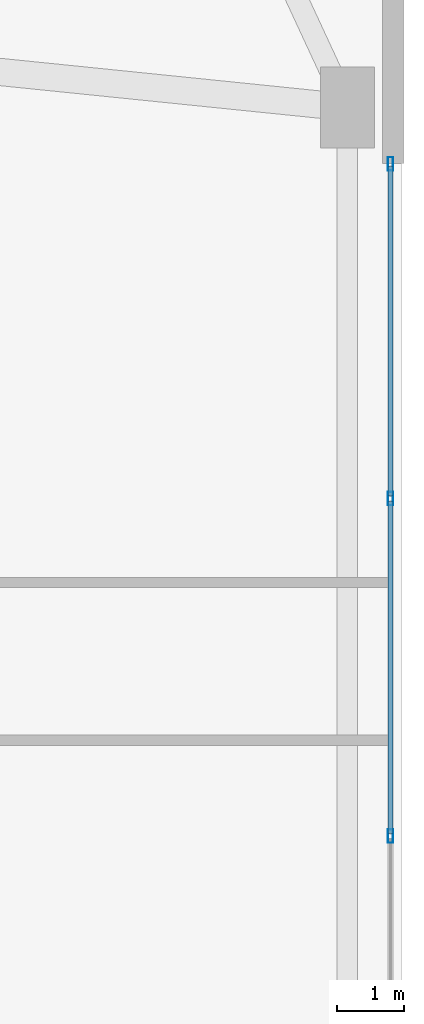
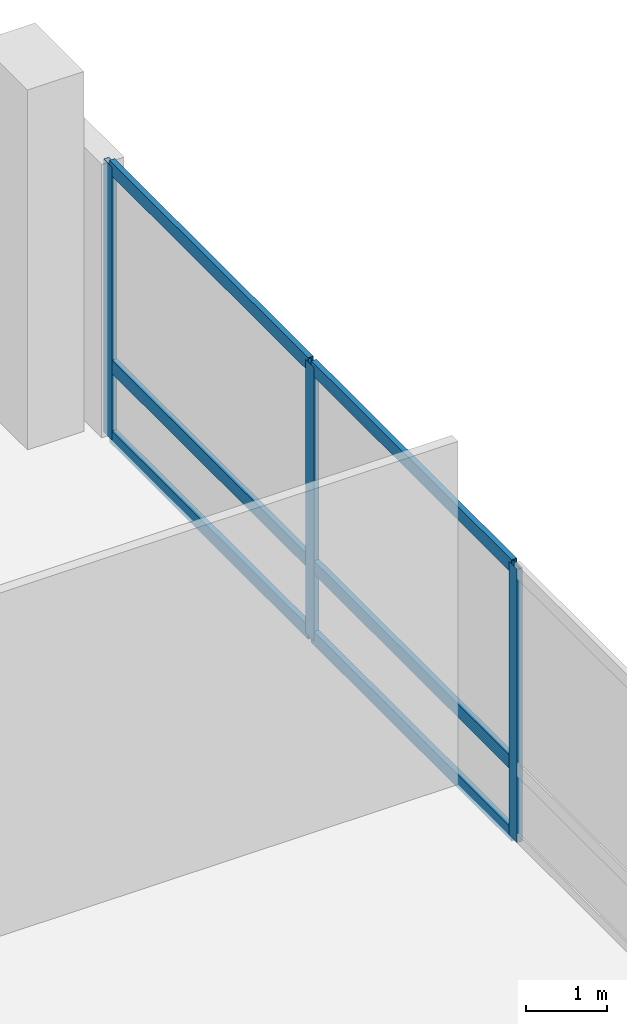
# One storey, part 20 of 31: 9 members, 1 element without a shape of its own.
"""IFC4 building model written with IfcOpenShell, lengths in metres."""

from ifc_helpers import new_model, si_unit, direction, frame, origin, origin_2d, place, context, subcontext, project, spatial, hollow_rectangle, extrude, material, layer, layer_set, material_profile, profile_set, type_object, element, aggregate, save


model = new_model("IFC4")

# Units and contexts
model_context = context("Model", 3, precision=1e-05, world=origin(), true_north=direction((0.0, 1.0)))
body_context = subcontext(model_context, "Body", "Model", "MODEL_VIEW")
ifc_project = project(units=[si_unit("LENGTHUNIT", "METRE"), si_unit("AREAUNIT", "SQUARE_METRE"), si_unit("VOLUMEUNIT", "CUBIC_METRE"), si_unit("PLANEANGLEUNIT", "RADIAN"), si_unit("MASSUNIT", "GRAM", prefix="KILO")], contexts=[model_context])

# Site, building, storey
site_placement = place(None, origin())
site = spatial("IfcSite", under=ifc_project, at=site_placement, CompositionType="ELEMENT")
building_placement = place(site_placement, origin())
building = spatial("IfcBuilding", under=site, at=building_placement, Name="Varnelok Gate Tower", CompositionType="ELEMENT")
storey_placement = place(building_placement, frame((0.0, 0.0, 21.60009765625)))
storey = spatial("IfcBuildingStorey", under=building, at=storey_placement, Name="L04", CompositionType="ELEMENT", Elevation=21.60009765625)

# Curtain wall, members
ifc_material = material(Name="Anodized Aluminum Alloy 6063-T6", Category="aluminium")
ifc_layer = layer(ifc_material, 0.179931640625)
ifc_layer_set = layer_set([ifc_layer], Name="Anodized Aluminum Alloy 6063-T6")
curtain_wall_type = type_object("IfcCurtainWallType", Name="CW1-ARCH-PORTAL", PredefinedType="USERDEFINED", material=ifc_layer_set)
curtain_wall_placement = place(storey_placement, origin())
curtain_wall = element("IfcCurtainWall", 1, at=curtain_wall_placement, inside=storey, type_object=curtain_wall_type, Name="L04 Podium Portal Curtain Wall E", ObjectType="UNITISED CURTAIN WALL", PredefinedType="USERDEFINED")
ifc_material_profile_1 = material_profile(ifc_material, hollow_rectangle(XDim=0.074951171875, YDim=0.199951171875, WallThickness=0.00390625, at=origin_2d()), Name="ALU200X75X4")
ifc_profile_set_1 = profile_set([ifc_material_profile_1], Name="Anodized Aluminum Alloy 6063-T6")
member_type_1 = type_object("IfcMemberType", Name="CW-MULL-200", PredefinedType="MULLION", material=ifc_profile_set_1)
member_1_placement = place(storey_placement, frame((78.239990234375, 35.16259765625, 0.0), z_axis=(0.0, 0.0, 1.0), x_axis=(1.0, 0.0, 0.0)))
member_1 = element("IfcMember", 2, at=member_1_placement, type_object=member_type_1, Name="CW1 mullion 1", PredefinedType="MULLION", context=body_context, shape_type="SweptSolid", body=[
    extrude(hollow_rectangle(XDim=0.074951171875, YDim=0.199951171875, WallThickness=0.00390625, at=origin_2d()), origin(), (0.0, 0.0, 1.0), 4.099853515625),
])
member_2_placement = place(storey_placement, frame((78.239990234375, 30.199951171875, 0.0), z_axis=(0.0, 0.0, 1.0), x_axis=(1.0, 0.0, 0.0)))
member_2 = element("IfcMember", 3, at=member_2_placement, type_object=member_type_1, Name="CW1 mullion 2", PredefinedType="MULLION", context=body_context, shape_type="SweptSolid", body=[
    extrude(hollow_rectangle(XDim=0.074951171875, YDim=0.199951171875, WallThickness=0.00390625, at=origin_2d()), origin(), (0.0, 0.0, 1.0), 4.099853515625),
])
member_3_placement = place(storey_placement, frame((78.239990234375, 25.199951171875, 0.0), z_axis=(0.0, 0.0, 1.0), x_axis=(1.0, 0.0, 0.0)))
member_3 = element("IfcMember", 4, at=member_3_placement, type_object=member_type_1, Name="CW1 mullion 3", PredefinedType="MULLION", context=body_context, shape_type="SweptSolid", body=[
    extrude(hollow_rectangle(XDim=0.074951171875, YDim=0.199951171875, WallThickness=0.00390625, at=origin_2d()), origin(), (0.0, 0.0, 1.0), 4.099853515625),
])
ifc_material_profile_2 = material_profile(ifc_material, hollow_rectangle(XDim=0.074951171875, YDim=0.199951171875, WallThickness=0.00390625, at=origin_2d()), Name="ALU200X75X4")
ifc_profile_set_2 = profile_set([ifc_material_profile_2], Name="Anodized Aluminum Alloy 6063-T6")
member_type_2 = type_object("IfcMemberType", Name="CW-TRAN-200", PredefinedType="USERDEFINED", material=ifc_profile_set_2)
member_4_placement = place(storey_placement, frame((78.239990234375, 35.125, 0.037353515625), z_axis=(0.0, -1.0, 0.0), x_axis=(1.0, 0.0, 0.0)))
member_4 = element("IfcMember", 5, at=member_4_placement, type_object=member_type_2, Name="CW1 transom 1.1", ObjectType="TRANSOM", PredefinedType="USERDEFINED", context=body_context, shape_type="SweptSolid", body=[
    extrude(hollow_rectangle(XDim=0.074951171875, YDim=0.199951171875, WallThickness=0.00390625, at=origin_2d()), origin(), (0.0, 0.0, 1.0), 4.887451171875),
])
member_5_placement = place(storey_placement, frame((78.239990234375, 35.125, 1.099853515625), z_axis=(0.0, -1.0, 0.0), x_axis=(1.0, 0.0, 0.0)))
member_5 = element("IfcMember", 6, at=member_5_placement, type_object=member_type_2, Name="CW1 transom 1.2", ObjectType="TRANSOM", PredefinedType="USERDEFINED", context=body_context, shape_type="SweptSolid", body=[
    extrude(hollow_rectangle(XDim=0.074951171875, YDim=0.199951171875, WallThickness=0.00390625, at=origin_2d()), origin(), (0.0, 0.0, 1.0), 4.887451171875),
])
member_6_placement = place(storey_placement, frame((78.239990234375, 35.125, 4.0625), z_axis=(0.0, -1.0, 0.0), x_axis=(1.0, 0.0, 0.0)))
member_6 = element("IfcMember", 7, at=member_6_placement, type_object=member_type_2, Name="CW1 transom 1.3", ObjectType="TRANSOM", PredefinedType="USERDEFINED", context=body_context, shape_type="SweptSolid", body=[
    extrude(hollow_rectangle(XDim=0.074951171875, YDim=0.199951171875, WallThickness=0.00390625, at=origin_2d()), origin(), (0.0, 0.0, 1.0), 4.887451171875),
])
member_7_placement = place(storey_placement, frame((78.239990234375, 30.16259765625, 0.037353515625), z_axis=(0.0, -1.0, 0.0), x_axis=(1.0, 0.0, 0.0)))
member_7 = element("IfcMember", 8, at=member_7_placement, type_object=member_type_2, Name="CW1 transom 2.1", ObjectType="TRANSOM", PredefinedType="USERDEFINED", context=body_context, shape_type="SweptSolid", body=[
    extrude(hollow_rectangle(XDim=0.074951171875, YDim=0.199951171875, WallThickness=0.00390625, at=origin_2d()), origin(), (0.0, 0.0, 1.0), 4.925048828125),
])
member_8_placement = place(storey_placement, frame((78.239990234375, 30.16259765625, 1.099853515625), z_axis=(0.0, -1.0, 0.0), x_axis=(1.0, 0.0, 0.0)))
member_8 = element("IfcMember", 9, at=member_8_placement, type_object=member_type_2, Name="CW1 transom 2.2", ObjectType="TRANSOM", PredefinedType="USERDEFINED", context=body_context, shape_type="SweptSolid", body=[
    extrude(hollow_rectangle(XDim=0.074951171875, YDim=0.199951171875, WallThickness=0.00390625, at=origin_2d()), origin(), (0.0, 0.0, 1.0), 4.925048828125),
])
member_9_placement = place(storey_placement, frame((78.239990234375, 30.16259765625, 4.0625), z_axis=(0.0, -1.0, 0.0), x_axis=(1.0, 0.0, 0.0)))
member_9 = element("IfcMember", 10, at=member_9_placement, type_object=member_type_2, Name="CW1 transom 2.3", ObjectType="TRANSOM", PredefinedType="USERDEFINED", context=body_context, shape_type="SweptSolid", body=[
    extrude(hollow_rectangle(XDim=0.074951171875, YDim=0.199951171875, WallThickness=0.00390625, at=origin_2d()), origin(), (0.0, 0.0, 1.0), 4.925048828125),
])
aggregate(curtain_wall, [member_1, member_2, member_3, member_4, member_5, member_6, member_7, member_8, member_9])

save(model, "model.ifc")
